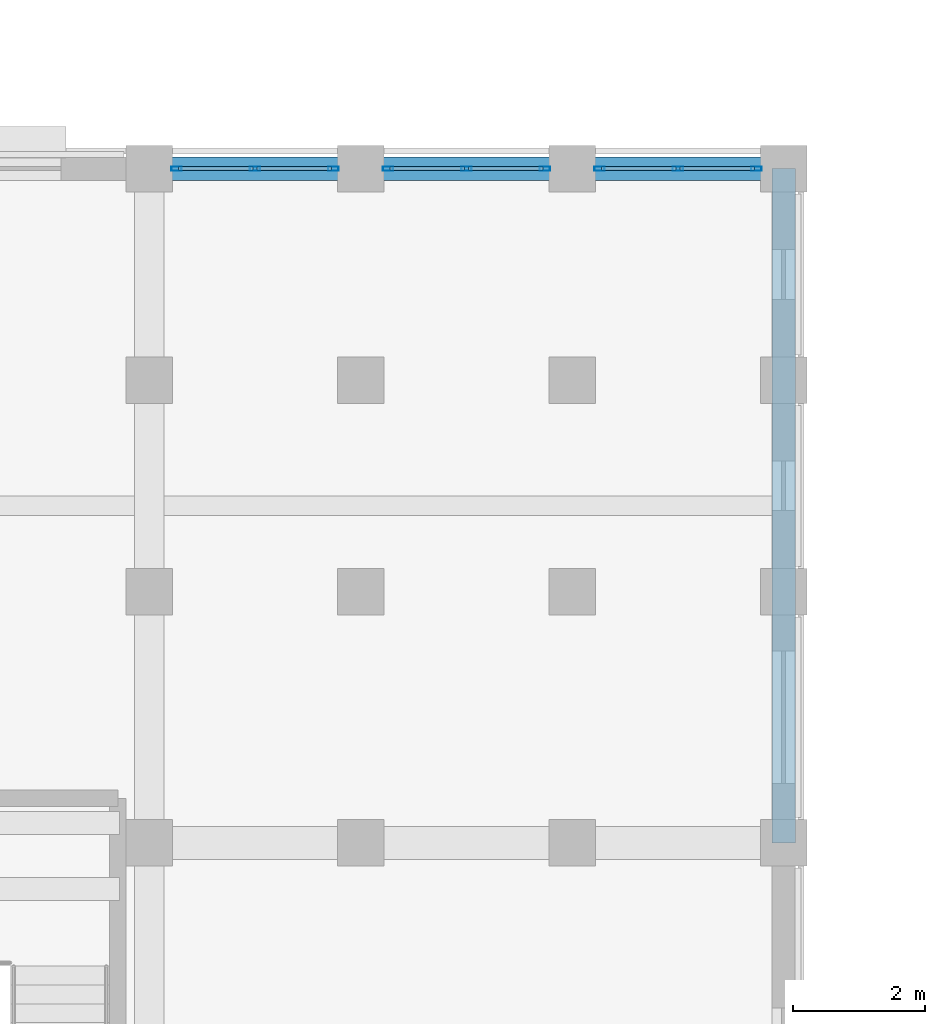
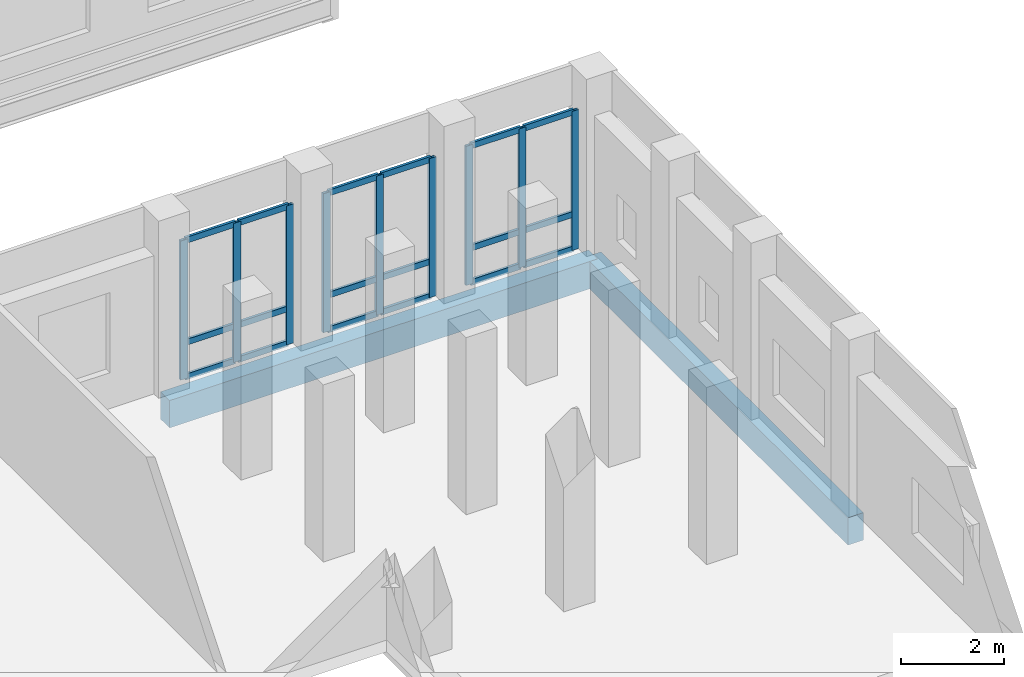
# One storey, part 35 of 185: 27 members, 2 beams, 3 elements without a shape of their own.
"""IFC4 building model written with IfcOpenShell, lengths in metres."""

from ifc_helpers import new_model, si_unit, direction, frame, origin, origin_2d, place, context, subcontext, project, spatial, rectangle, hollow_rectangle, extrude, material, material_profile, profile_set, type_object, element, aggregate, save


model = new_model("IFC4")

# Units and contexts
model_context = context("Model", 3, precision=1e-05, world=origin(), true_north=direction((0.0, 1.0)))
body_context = subcontext(model_context, "Body", "Model", "MODEL_VIEW")
ifc_project = project(units=[si_unit("LENGTHUNIT", "METRE"), si_unit("AREAUNIT", "SQUARE_METRE"), si_unit("VOLUMEUNIT", "CUBIC_METRE"), si_unit("PLANEANGLEUNIT", "RADIAN"), si_unit("MASSUNIT", "GRAM", prefix="KILO")], contexts=[model_context])

# Site, building, storey
site_placement = place(None, origin())
site = spatial("IfcSite", under=ifc_project, at=site_placement, CompositionType="ELEMENT")
building_placement = place(site_placement, origin())
building = spatial("IfcBuilding", under=site, at=building_placement, Name="Vondelvale Polytechnic", CompositionType="ELEMENT")
storey_placement = place(building_placement, frame((0.0, 0.0, 9.60009765625)))
storey = spatial("IfcBuildingStorey", under=building, at=storey_placement, Name="L02", CompositionType="ELEMENT", Elevation=9.60009765625)

# Curtain wall, members
ifc_material_1 = material(Name="Anodised extruded aluminium 6063-T6", Category="aluminium")
curtain_wall_type = type_object("IfcCurtainWallType", Name="CW-STUDIO-NORTH", PredefinedType="NOTDEFINED", material=ifc_material_1)
curtain_wall_1_placement = place(storey_placement, origin())
curtain_wall_1 = element("IfcCurtainWall", 1, at=curtain_wall_1_placement, inside=storey, type_object=curtain_wall_type, Name="L02 architectural curtain wall CW-01-022", PredefinedType="NOTDEFINED")
ifc_material_profile_1 = material_profile(ifc_material_1, hollow_rectangle(XDim=0.06494140625, YDim=0.159912109375, WallThickness=0.0048828125, at=origin_2d()), Name="CW-MUL-160x65")
ifc_profile_set_1 = profile_set([ifc_material_profile_1], Name="Anodised extruded aluminium 6063-T6")
member_type_1 = type_object("IfcMemberType", Name="CW-MUL-65x160", PredefinedType="MULLION", material=ifc_profile_set_1)
member_1_placement = place(storey_placement, frame((38.8125, 40.800048828125, 0.0), z_axis=(0.0, 0.0, 1.0), x_axis=(0.0, 1.0, 0.0)))
member_1 = element("IfcMember", 2, at=member_1_placement, type_object=member_type_1, Name="CW-01-022 mullion 1", PredefinedType="MULLION", context=body_context, shape_type="SweptSolid", body=[
    extrude(hollow_rectangle(XDim=0.06494140625, YDim=0.159912109375, WallThickness=0.0048828125, at=origin_2d()), origin(), (0.0, 0.0, 1.0), 3.2998046875),
])
member_2_placement = place(storey_placement, frame((40.0, 40.800048828125, 0.0), z_axis=(0.0, 0.0, 1.0), x_axis=(0.0, 1.0, 0.0)))
member_2 = element("IfcMember", 3, at=member_2_placement, type_object=member_type_1, Name="CW-01-022 mullion 2", PredefinedType="MULLION", context=body_context, shape_type="SweptSolid", body=[
    extrude(hollow_rectangle(XDim=0.06494140625, YDim=0.159912109375, WallThickness=0.0048828125, at=origin_2d()), origin(), (0.0, 0.0, 1.0), 3.2998046875),
])
member_3_placement = place(storey_placement, frame((41.1875, 40.800048828125, 0.0), z_axis=(0.0, 0.0, 1.0), x_axis=(0.0, 1.0, 0.0)))
member_3 = element("IfcMember", 4, at=member_3_placement, type_object=member_type_1, Name="CW-01-022 mullion 3", PredefinedType="MULLION", context=body_context, shape_type="SweptSolid", body=[
    extrude(hollow_rectangle(XDim=0.06494140625, YDim=0.159912109375, WallThickness=0.0048828125, at=origin_2d()), origin(), (0.0, 0.0, 1.0), 3.2998046875),
])

curtain_wall_2_placement = place(storey_placement, origin())
curtain_wall_2 = element("IfcCurtainWall", 5, at=curtain_wall_2_placement, inside=storey, type_object=curtain_wall_type, Name="L02 architectural curtain wall CW-01-023", PredefinedType="NOTDEFINED")
member_4_placement = place(storey_placement, frame((42.012451171875, 40.800048828125, 0.0), z_axis=(0.0, 0.0, 1.0), x_axis=(0.0, 1.0, 0.0)))
member_4 = element("IfcMember", 6, at=member_4_placement, type_object=member_type_1, Name="CW-01-023 mullion 1", PredefinedType="MULLION", context=body_context, shape_type="SweptSolid", body=[
    extrude(hollow_rectangle(XDim=0.06494140625, YDim=0.159912109375, WallThickness=0.0048828125, at=origin_2d()), origin(), (0.0, 0.0, 1.0), 3.2998046875),
])
member_5_placement = place(storey_placement, frame((43.199951171875, 40.800048828125, 0.0), z_axis=(0.0, 0.0, 1.0), x_axis=(0.0, 1.0, 0.0)))
member_5 = element("IfcMember", 7, at=member_5_placement, type_object=member_type_1, Name="CW-01-023 mullion 2", PredefinedType="MULLION", context=body_context, shape_type="SweptSolid", body=[
    extrude(hollow_rectangle(XDim=0.06494140625, YDim=0.159912109375, WallThickness=0.0048828125, at=origin_2d()), origin(), (0.0, 0.0, 1.0), 3.2998046875),
])
member_6_placement = place(storey_placement, frame((44.387451171875, 40.800048828125, 0.0), z_axis=(0.0, 0.0, 1.0), x_axis=(0.0, 1.0, 0.0)))
member_6 = element("IfcMember", 8, at=member_6_placement, type_object=member_type_1, Name="CW-01-023 mullion 3", PredefinedType="MULLION", context=body_context, shape_type="SweptSolid", body=[
    extrude(hollow_rectangle(XDim=0.06494140625, YDim=0.159912109375, WallThickness=0.0048828125, at=origin_2d()), origin(), (0.0, 0.0, 1.0), 3.2998046875),
])

curtain_wall_3_placement = place(storey_placement, origin())
curtain_wall_3 = element("IfcCurtainWall", 9, at=curtain_wall_3_placement, inside=storey, type_object=curtain_wall_type, Name="L02 architectural curtain wall CW-01-024", PredefinedType="NOTDEFINED")
member_7_placement = place(storey_placement, frame((45.21240234375, 40.800048828125, 0.0), z_axis=(0.0, 0.0, 1.0), x_axis=(0.0, 1.0, 0.0)))
member_7 = element("IfcMember", 10, at=member_7_placement, type_object=member_type_1, Name="CW-01-024 mullion 1", PredefinedType="MULLION", context=body_context, shape_type="SweptSolid", body=[
    extrude(hollow_rectangle(XDim=0.06494140625, YDim=0.159912109375, WallThickness=0.0048828125, at=origin_2d()), origin(), (0.0, 0.0, 1.0), 3.2998046875),
])
member_8_placement = place(storey_placement, frame((46.39990234375, 40.800048828125, 0.0), z_axis=(0.0, 0.0, 1.0), x_axis=(0.0, 1.0, 0.0)))
member_8 = element("IfcMember", 11, at=member_8_placement, type_object=member_type_1, Name="CW-01-024 mullion 2", PredefinedType="MULLION", context=body_context, shape_type="SweptSolid", body=[
    extrude(hollow_rectangle(XDim=0.06494140625, YDim=0.159912109375, WallThickness=0.0048828125, at=origin_2d()), origin(), (0.0, 0.0, 1.0), 3.2998046875),
])
member_9_placement = place(storey_placement, frame((47.58740234375, 40.800048828125, 0.0), z_axis=(0.0, 0.0, 1.0), x_axis=(0.0, 1.0, 0.0)))
member_9 = element("IfcMember", 12, at=member_9_placement, type_object=member_type_1, Name="CW-01-024 mullion 3", PredefinedType="MULLION", context=body_context, shape_type="SweptSolid", body=[
    extrude(hollow_rectangle(XDim=0.06494140625, YDim=0.159912109375, WallThickness=0.0048828125, at=origin_2d()), origin(), (0.0, 0.0, 1.0), 3.2998046875),
])

# Member
ifc_material_profile_2 = material_profile(ifc_material_1, hollow_rectangle(XDim=0.06005859375, YDim=0.139892578125, WallThickness=0.00341796875, at=origin_2d()), Name="CW-TRN-140x60")
ifc_profile_set_2 = profile_set([ifc_material_profile_2], Name="Anodised extruded aluminium 6063-T6")
member_type_2 = type_object("IfcMemberType", Name="CW-TRN-60x140", PredefinedType="USERDEFINED", material=ifc_profile_set_2)
member_10_placement = place(storey_placement, frame((38.844970703125, 40.800048828125, 0.02978515625), z_axis=(1.0, 0.0, 0.0), x_axis=(0.0, 1.0, 0.0)))
member_10 = element("IfcMember", 13, at=member_10_placement, type_object=member_type_2, Name="CW-01-022 transom 1.1", ObjectType="TRANSOM", PredefinedType="USERDEFINED", context=body_context, shape_type="SweptSolid", body=[
    extrude(hollow_rectangle(XDim=0.06005859375, YDim=0.139892578125, WallThickness=0.00341796875, at=origin_2d()), origin(), (0.0, 0.0, 1.0), 1.12255859375),
])

member_11_placement = place(storey_placement, frame((38.844970703125, 40.800048828125, 0.849853515625), z_axis=(1.0, 0.0, 0.0), x_axis=(0.0, 1.0, 0.0)))
member_11 = element("IfcMember", 14, at=member_11_placement, type_object=member_type_2, Name="CW-01-022 transom 1.2", ObjectType="TRANSOM", PredefinedType="USERDEFINED", context=body_context, shape_type="SweptSolid", body=[
    extrude(hollow_rectangle(XDim=0.06005859375, YDim=0.139892578125, WallThickness=0.00341796875, at=origin_2d()), origin(), (0.0, 0.0, 1.0), 1.12255859375),
])

member_12_placement = place(storey_placement, frame((38.844970703125, 40.800048828125, 3.27001953125), z_axis=(1.0, 0.0, 0.0), x_axis=(0.0, 1.0, 0.0)))
member_12 = element("IfcMember", 15, at=member_12_placement, type_object=member_type_2, Name="CW-01-022 transom 1.3", ObjectType="TRANSOM", PredefinedType="USERDEFINED", context=body_context, shape_type="SweptSolid", body=[
    extrude(hollow_rectangle(XDim=0.06005859375, YDim=0.139892578125, WallThickness=0.00341796875, at=origin_2d()), origin(), (0.0, 0.0, 1.0), 1.12255859375),
])

member_13_placement = place(storey_placement, frame((40.032470703125, 40.800048828125, 0.02978515625), z_axis=(1.0, 0.0, 0.0), x_axis=(0.0, 1.0, 0.0)))
member_13 = element("IfcMember", 16, at=member_13_placement, type_object=member_type_2, Name="CW-01-022 transom 2.1", ObjectType="TRANSOM", PredefinedType="USERDEFINED", context=body_context, shape_type="SweptSolid", body=[
    extrude(hollow_rectangle(XDim=0.06005859375, YDim=0.139892578125, WallThickness=0.00341796875, at=origin_2d()), origin(), (0.0, 0.0, 1.0), 1.12255859375),
])

member_14_placement = place(storey_placement, frame((40.032470703125, 40.800048828125, 0.849853515625), z_axis=(1.0, 0.0, 0.0), x_axis=(0.0, 1.0, 0.0)))
member_14 = element("IfcMember", 17, at=member_14_placement, type_object=member_type_2, Name="CW-01-022 transom 2.2", ObjectType="TRANSOM", PredefinedType="USERDEFINED", context=body_context, shape_type="SweptSolid", body=[
    extrude(hollow_rectangle(XDim=0.06005859375, YDim=0.139892578125, WallThickness=0.00341796875, at=origin_2d()), origin(), (0.0, 0.0, 1.0), 1.12255859375),
])

member_15_placement = place(storey_placement, frame((40.032470703125, 40.800048828125, 3.27001953125), z_axis=(1.0, 0.0, 0.0), x_axis=(0.0, 1.0, 0.0)))
member_15 = element("IfcMember", 18, at=member_15_placement, type_object=member_type_2, Name="CW-01-022 transom 2.3", ObjectType="TRANSOM", PredefinedType="USERDEFINED", context=body_context, shape_type="SweptSolid", body=[
    extrude(hollow_rectangle(XDim=0.06005859375, YDim=0.139892578125, WallThickness=0.00341796875, at=origin_2d()), origin(), (0.0, 0.0, 1.0), 1.12255859375),
])

aggregate(curtain_wall_1, [member_1, member_2, member_3, member_10, member_11, member_12, member_13, member_14, member_15])

member_16_placement = place(storey_placement, frame((42.044921875, 40.800048828125, 0.02978515625), z_axis=(1.0, 0.0, 0.0), x_axis=(0.0, 1.0, 0.0)))
member_16 = element("IfcMember", 19, at=member_16_placement, type_object=member_type_2, Name="CW-01-023 transom 1.1", ObjectType="TRANSOM", PredefinedType="USERDEFINED", context=body_context, shape_type="SweptSolid", body=[
    extrude(hollow_rectangle(XDim=0.06005859375, YDim=0.139892578125, WallThickness=0.00341796875, at=origin_2d()), origin(), (0.0, 0.0, 1.0), 1.12255859375),
])

member_17_placement = place(storey_placement, frame((42.044921875, 40.800048828125, 0.849853515625), z_axis=(1.0, 0.0, 0.0), x_axis=(0.0, 1.0, 0.0)))
member_17 = element("IfcMember", 20, at=member_17_placement, type_object=member_type_2, Name="CW-01-023 transom 1.2", ObjectType="TRANSOM", PredefinedType="USERDEFINED", context=body_context, shape_type="SweptSolid", body=[
    extrude(hollow_rectangle(XDim=0.06005859375, YDim=0.139892578125, WallThickness=0.00341796875, at=origin_2d()), origin(), (0.0, 0.0, 1.0), 1.12255859375),
])

member_18_placement = place(storey_placement, frame((42.044921875, 40.800048828125, 3.27001953125), z_axis=(1.0, 0.0, 0.0), x_axis=(0.0, 1.0, 0.0)))
member_18 = element("IfcMember", 21, at=member_18_placement, type_object=member_type_2, Name="CW-01-023 transom 1.3", ObjectType="TRANSOM", PredefinedType="USERDEFINED", context=body_context, shape_type="SweptSolid", body=[
    extrude(hollow_rectangle(XDim=0.06005859375, YDim=0.139892578125, WallThickness=0.00341796875, at=origin_2d()), origin(), (0.0, 0.0, 1.0), 1.12255859375),
])

member_19_placement = place(storey_placement, frame((43.232421875, 40.800048828125, 0.02978515625), z_axis=(1.0, 0.0, 0.0), x_axis=(0.0, 1.0, 0.0)))
member_19 = element("IfcMember", 22, at=member_19_placement, type_object=member_type_2, Name="CW-01-023 transom 2.1", ObjectType="TRANSOM", PredefinedType="USERDEFINED", context=body_context, shape_type="SweptSolid", body=[
    extrude(hollow_rectangle(XDim=0.06005859375, YDim=0.139892578125, WallThickness=0.00341796875, at=origin_2d()), origin(), (0.0, 0.0, 1.0), 1.12255859375),
])

member_20_placement = place(storey_placement, frame((43.232421875, 40.800048828125, 0.849853515625), z_axis=(1.0, 0.0, 0.0), x_axis=(0.0, 1.0, 0.0)))
member_20 = element("IfcMember", 23, at=member_20_placement, type_object=member_type_2, Name="CW-01-023 transom 2.2", ObjectType="TRANSOM", PredefinedType="USERDEFINED", context=body_context, shape_type="SweptSolid", body=[
    extrude(hollow_rectangle(XDim=0.06005859375, YDim=0.139892578125, WallThickness=0.00341796875, at=origin_2d()), origin(), (0.0, 0.0, 1.0), 1.12255859375),
])

member_21_placement = place(storey_placement, frame((43.232421875, 40.800048828125, 3.27001953125), z_axis=(1.0, 0.0, 0.0), x_axis=(0.0, 1.0, 0.0)))
member_21 = element("IfcMember", 24, at=member_21_placement, type_object=member_type_2, Name="CW-01-023 transom 2.3", ObjectType="TRANSOM", PredefinedType="USERDEFINED", context=body_context, shape_type="SweptSolid", body=[
    extrude(hollow_rectangle(XDim=0.06005859375, YDim=0.139892578125, WallThickness=0.00341796875, at=origin_2d()), origin(), (0.0, 0.0, 1.0), 1.12255859375),
])

aggregate(curtain_wall_2, [member_4, member_5, member_6, member_16, member_17, member_18, member_19, member_20, member_21])

member_22_placement = place(storey_placement, frame((45.2451171875, 40.800048828125, 0.02978515625), z_axis=(1.0, 0.0, 0.0), x_axis=(0.0, 1.0, 0.0)))
member_22 = element("IfcMember", 25, at=member_22_placement, type_object=member_type_2, Name="CW-01-024 transom 1.1", ObjectType="TRANSOM", PredefinedType="USERDEFINED", context=body_context, shape_type="SweptSolid", body=[
    extrude(hollow_rectangle(XDim=0.06005859375, YDim=0.139892578125, WallThickness=0.00341796875, at=origin_2d()), origin(), (0.0, 0.0, 1.0), 1.122314453125),
])

member_23_placement = place(storey_placement, frame((45.2451171875, 40.800048828125, 0.849853515625), z_axis=(1.0, 0.0, 0.0), x_axis=(0.0, 1.0, 0.0)))
member_23 = element("IfcMember", 26, at=member_23_placement, type_object=member_type_2, Name="CW-01-024 transom 1.2", ObjectType="TRANSOM", PredefinedType="USERDEFINED", context=body_context, shape_type="SweptSolid", body=[
    extrude(hollow_rectangle(XDim=0.06005859375, YDim=0.139892578125, WallThickness=0.00341796875, at=origin_2d()), origin(), (0.0, 0.0, 1.0), 1.122314453125),
])

member_24_placement = place(storey_placement, frame((45.2451171875, 40.800048828125, 3.27001953125), z_axis=(1.0, 0.0, 0.0), x_axis=(0.0, 1.0, 0.0)))
member_24 = element("IfcMember", 27, at=member_24_placement, type_object=member_type_2, Name="CW-01-024 transom 1.3", ObjectType="TRANSOM", PredefinedType="USERDEFINED", context=body_context, shape_type="SweptSolid", body=[
    extrude(hollow_rectangle(XDim=0.06005859375, YDim=0.139892578125, WallThickness=0.00341796875, at=origin_2d()), origin(), (0.0, 0.0, 1.0), 1.122314453125),
])

member_25_placement = place(storey_placement, frame((46.4326171875, 40.800048828125, 0.02978515625), z_axis=(1.0, 0.0, 0.0), x_axis=(0.0, 1.0, 0.0)))
member_25 = element("IfcMember", 28, at=member_25_placement, type_object=member_type_2, Name="CW-01-024 transom 2.1", ObjectType="TRANSOM", PredefinedType="USERDEFINED", context=body_context, shape_type="SweptSolid", body=[
    extrude(hollow_rectangle(XDim=0.06005859375, YDim=0.139892578125, WallThickness=0.00341796875, at=origin_2d()), origin(), (0.0, 0.0, 1.0), 1.122314453125),
])

member_26_placement = place(storey_placement, frame((46.4326171875, 40.800048828125, 0.849853515625), z_axis=(1.0, 0.0, 0.0), x_axis=(0.0, 1.0, 0.0)))
member_26 = element("IfcMember", 29, at=member_26_placement, type_object=member_type_2, Name="CW-01-024 transom 2.2", ObjectType="TRANSOM", PredefinedType="USERDEFINED", context=body_context, shape_type="SweptSolid", body=[
    extrude(hollow_rectangle(XDim=0.06005859375, YDim=0.139892578125, WallThickness=0.00341796875, at=origin_2d()), origin(), (0.0, 0.0, 1.0), 1.122314453125),
])

member_27_placement = place(storey_placement, frame((46.4326171875, 40.800048828125, 3.27001953125), z_axis=(1.0, 0.0, 0.0), x_axis=(0.0, 1.0, 0.0)))
member_27 = element("IfcMember", 30, at=member_27_placement, type_object=member_type_2, Name="CW-01-024 transom 2.3", ObjectType="TRANSOM", PredefinedType="USERDEFINED", context=body_context, shape_type="SweptSolid", body=[
    extrude(hollow_rectangle(XDim=0.06005859375, YDim=0.139892578125, WallThickness=0.00341796875, at=origin_2d()), origin(), (0.0, 0.0, 1.0), 1.122314453125),
])

aggregate(curtain_wall_3, [member_7, member_8, member_9, member_22, member_23, member_24, member_25, member_26, member_27])

# Beams
ifc_material_2 = material(Name="Precast concrete N40 (f'c = 40 MPa)", Category="concrete")
ifc_material_profile_3 = material_profile(ifc_material_2, rectangle(XDim=0.35009765625, YDim=0.64990234375, at=origin_2d()), Name="RC-SPN-350x650")
ifc_profile_set_3 = profile_set([ifc_material_profile_3], Name="Precast concrete N40 (f'c = 40 MPa)")
beam_type = type_object("IfcBeamType", Name="SPN-PRE350x650", PredefinedType="SPANDREL", material=ifc_profile_set_3)
beam_1_placement = place(storey_placement, frame((38.39990234375, 40.800048828125, -0.60498046875), z_axis=(1.0, 0.0, 0.0), x_axis=(0.0, 1.0, 0.0)))
element("IfcBeam", 31, at=beam_1_placement, inside=storey, type_object=beam_type, Name="L02 B SP-02", PredefinedType="SPANDREL", context=body_context, shape_type="SweptSolid", body=[
    extrude(rectangle(XDim=0.35009765625, YDim=0.64990234375, at=origin_2d()), origin(), (0.0, 0.0, 1.0), 9.60009765625),
])
beam_2_placement = place(storey_placement, frame((48.0, 30.60009765625, -0.60498046875), z_axis=(0.0, 1.0, 0.0), x_axis=(-1.0, 0.0, 0.0)))
element("IfcBeam", 32, at=beam_2_placement, inside=storey, type_object=beam_type, Name="L02 B SP-02", PredefinedType="SPANDREL", context=body_context, shape_type="SweptSolid", body=[
    extrude(rectangle(XDim=0.35009765625, YDim=0.64990234375, at=origin_2d()), origin(), (0.0, 0.0, 1.0), 10.199951171875),
])

save(model, "model.ifc")
